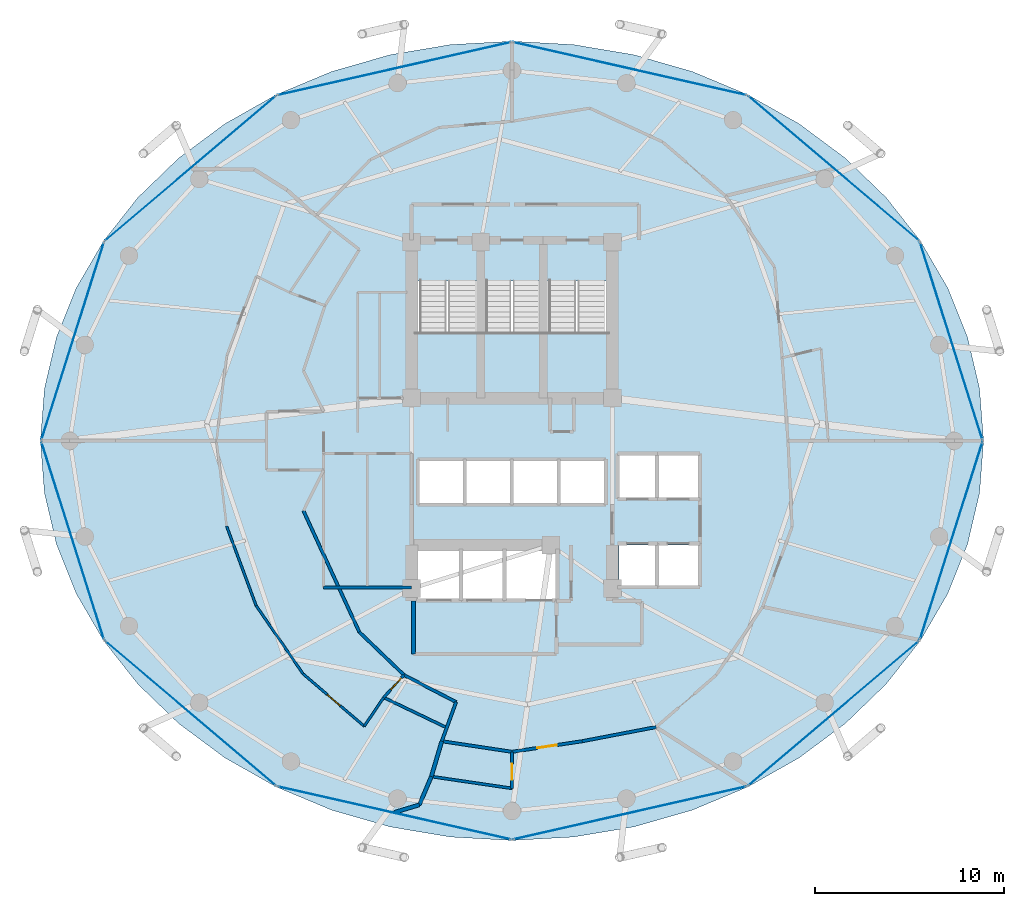
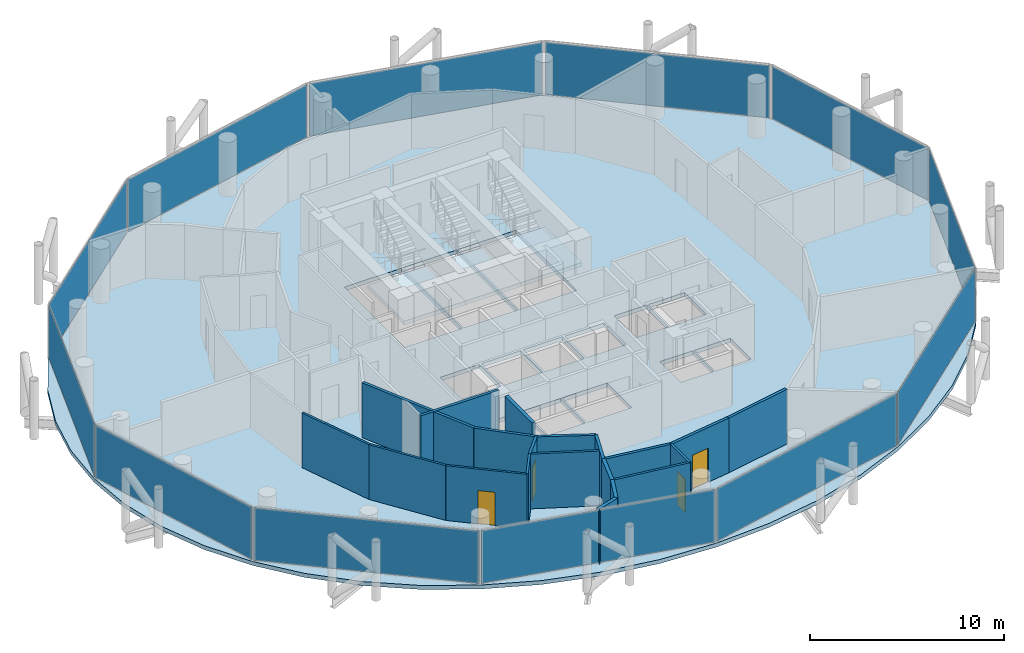
# One storey, part 21 of 26: 20 walls, 12 plates, 4 doors, 4 slabs, 4 openings, 15 elements without a shape of their own.
"""IFC4 building model written with IfcOpenShell, lengths in metres."""

from ifc_helpers import new_model, si_unit, direction, frame, frame_2d, origin, origin_2d, place, context, subcontext, project, spatial, polyline, rectangle, outline, extrude, material, layer, layer_set, type_object, element, fill, aggregate, save


model = new_model("IFC4")

# Units and contexts
model_context = context("Model", 3, precision=1e-05, world=origin(), true_north=direction((0.0, 1.0)))
body_context = subcontext(model_context, "Body", "Model", "MODEL_VIEW")
ifc_project = project(units=[si_unit("LENGTHUNIT", "METRE"), si_unit("AREAUNIT", "SQUARE_METRE"), si_unit("VOLUMEUNIT", "CUBIC_METRE"), si_unit("PLANEANGLEUNIT", "RADIAN"), si_unit("MASSUNIT", "GRAM", prefix="KILO")], contexts=[model_context])

# Site, building, storey
site_placement = place(None, origin())
site = spatial("IfcSite", under=ifc_project, at=site_placement, CompositionType="ELEMENT")
building_placement = place(site_placement, origin())
building = spatial("IfcBuilding", under=site, at=building_placement, Name="Nuhasar Tower", CompositionType="ELEMENT")
storey_placement = place(building_placement, frame((0.0, 0.0, 173.75)))
storey = spatial("IfcBuildingStorey", under=building, at=storey_placement, Name="L42", CompositionType="ELEMENT", Elevation=173.75)

# Curtain wall, plate
ifc_material_1 = material(Name="Aluminium 6063-T6", Category="aluminium")
ifc_layer_1 = layer(ifc_material_1, 0.199951171875)
ifc_layer_set_1 = layer_set([ifc_layer_1], Name="Aluminium 6063-T6")
curtain_wall_type = type_object("IfcCurtainWallType", Name="CW-Z2-HTL", PredefinedType="NOTDEFINED", material=ifc_layer_set_1)
curtain_wall_1_placement = place(storey_placement, origin())
curtain_wall_1 = element("IfcCurtainWall", 1, at=curtain_wall_1_placement, inside=storey, type_object=curtain_wall_type, Name="L42 Unitised Curtain Wall 01", PredefinedType="NOTDEFINED")
ifc_material_2 = material(Name="Glass Double Low-E", Category="glass")
ifc_layer_2 = layer(ifc_material_2, 0.028076171875)
ifc_layer_set_2 = layer_set([ifc_layer_2], Name="Glass Double Low-E")
plate_type = type_object("IfcPlateType", Name="CW-PANEL-GLZ", PredefinedType="CURTAIN_PANEL", material=ifc_layer_set_2)
plate_1_placement = place(storey_placement, frame((62.194580078125, 32.06494140625, 0.070068359375), z_axis=(0.0, 0.0, 1.0), x_axis=(-0.301603667577, 0.953433389233, 0.0)))
plate_1 = element("IfcPlate", 2, at=plate_1_placement, type_object=plate_type, Name="CW-Z2 panel 1.1", PredefinedType="CURTAIN_PANEL", context=body_context, shape_type="SweptSolid", body=[
    extrude(rectangle(XDim=10.904296875, YDim=0.028076171875, at=origin_2d()), origin(), (0.0, 0.0, 1.0), 3.31005859375),
])
aggregate(curtain_wall_1, [plate_1])

curtain_wall_2_placement = place(storey_placement, origin())
curtain_wall_2 = element("IfcCurtainWall", 3, at=curtain_wall_2_placement, inside=storey, type_object=curtain_wall_type, Name="L42 Unitised Curtain Wall 02", PredefinedType="NOTDEFINED")
plate_2_placement = place(storey_placement, frame((55.9794921875, 41.18408203125, 0.070068359375), z_axis=(0.0, 0.0, 1.0), x_axis=(-0.763020370292, 0.646374438324, 0.0)))
plate_2 = element("IfcPlate", 4, at=plate_2_placement, type_object=plate_type, Name="CW-Z2 panel 1.1", PredefinedType="CURTAIN_PANEL", context=body_context, shape_type="SweptSolid", body=[
    extrude(rectangle(XDim=11.784912109375, YDim=0.028076171875, at=origin_2d()), origin(), (0.0, 0.0, 1.0), 3.31005859375),
])
aggregate(curtain_wall_2, [plate_2])

curtain_wall_3_placement = place(storey_placement, origin())
curtain_wall_3 = element("IfcCurtainWall", 5, at=curtain_wall_3_placement, inside=storey, type_object=curtain_wall_type, Name="L42 Unitised Curtain Wall 03", PredefinedType="NOTDEFINED")
plate_3_placement = place(storey_placement, frame((45.215087890625, 46.448974609375, 0.070068359375), z_axis=(0.0, 0.0, 1.0), x_axis=(-0.975183694221, 0.22139729566, 0.0)))
plate_3 = element("IfcPlate", 6, at=plate_3_placement, type_object=plate_type, Name="CW-Z2 panel 1.1", PredefinedType="CURTAIN_PANEL", context=body_context, shape_type="SweptSolid", body=[
    extrude(rectangle(XDim=12.606201171875, YDim=0.028076171875, at=origin_2d()), origin(), (0.0, 0.0, 1.0), 3.31005859375),
])
aggregate(curtain_wall_3, [plate_3])

curtain_wall_4_placement = place(storey_placement, origin())
curtain_wall_4 = element("IfcCurtainWall", 7, at=curtain_wall_4_placement, inside=storey, type_object=curtain_wall_type, Name="L42 Unitised Curtain Wall 04", PredefinedType="NOTDEFINED")
plate_4_placement = place(storey_placement, frame((32.784912109375, 46.448974609375, 0.070068359375), z_axis=(0.0, 0.0, 1.0), x_axis=(-0.975183694221, -0.22139729566, 0.0)))
plate_4 = element("IfcPlate", 8, at=plate_4_placement, type_object=plate_type, Name="CW-Z2 panel 1.1", PredefinedType="CURTAIN_PANEL", context=body_context, shape_type="SweptSolid", body=[
    extrude(rectangle(XDim=12.606201171875, YDim=0.028076171875, at=origin_2d()), origin(), (0.0, 0.0, 1.0), 3.31005859375),
])
aggregate(curtain_wall_4, [plate_4])

curtain_wall_5_placement = place(storey_placement, origin())
curtain_wall_5 = element("IfcCurtainWall", 9, at=curtain_wall_5_placement, inside=storey, type_object=curtain_wall_type, Name="L42 Unitised Curtain Wall 05", PredefinedType="NOTDEFINED")
plate_5_placement = place(storey_placement, frame((22.0205078125, 41.18408203125, 0.070068359375), z_axis=(0.0, 0.0, 1.0), x_axis=(-0.763020370292, -0.646374438324, 0.0)))
plate_5 = element("IfcPlate", 10, at=plate_5_placement, type_object=plate_type, Name="CW-Z2 panel 1.1", PredefinedType="CURTAIN_PANEL", context=body_context, shape_type="SweptSolid", body=[
    extrude(rectangle(XDim=11.784912109375, YDim=0.028076171875, at=origin_2d()), origin(), (0.0, 0.0, 1.0), 3.31005859375),
])
aggregate(curtain_wall_5, [plate_5])

curtain_wall_6_placement = place(storey_placement, origin())
curtain_wall_6 = element("IfcCurtainWall", 11, at=curtain_wall_6_placement, inside=storey, type_object=curtain_wall_type, Name="L42 Unitised Curtain Wall 06", PredefinedType="NOTDEFINED")
plate_6_placement = place(storey_placement, frame((15.805419921875, 32.06494140625, 0.070068359375), z_axis=(0.0, 0.0, 1.0), x_axis=(-0.301603667577, -0.953433389233, 0.0)))
plate_6 = element("IfcPlate", 12, at=plate_6_placement, type_object=plate_type, Name="CW-Z2 panel 1.1", PredefinedType="CURTAIN_PANEL", context=body_context, shape_type="SweptSolid", body=[
    extrude(rectangle(XDim=10.904296875, YDim=0.028076171875, at=origin_2d()), origin(), (0.0, 0.0, 1.0), 3.31005859375),
])
aggregate(curtain_wall_6, [plate_6])

curtain_wall_7_placement = place(storey_placement, origin())
curtain_wall_7 = element("IfcCurtainWall", 13, at=curtain_wall_7_placement, inside=storey, type_object=curtain_wall_type, Name="L42 Unitised Curtain Wall 07", PredefinedType="NOTDEFINED")
plate_7_placement = place(storey_placement, frame((15.805419921875, 21.534912109375, 0.070068359375), z_axis=(0.0, 0.0, 1.0), x_axis=(0.301603667577, -0.953433389233, 0.0)))
plate_7 = element("IfcPlate", 14, at=plate_7_placement, type_object=plate_type, Name="CW-Z2 panel 1.1", PredefinedType="CURTAIN_PANEL", context=body_context, shape_type="SweptSolid", body=[
    extrude(rectangle(XDim=10.904296875, YDim=0.028076171875, at=origin_2d()), origin(), (0.0, 0.0, 1.0), 3.31005859375),
])
aggregate(curtain_wall_7, [plate_7])

curtain_wall_8_placement = place(storey_placement, origin())
curtain_wall_8 = element("IfcCurtainWall", 15, at=curtain_wall_8_placement, inside=storey, type_object=curtain_wall_type, Name="L42 Unitised Curtain Wall 08", PredefinedType="NOTDEFINED")
plate_8_placement = place(storey_placement, frame((22.0205078125, 12.416015625, 0.070068359375), z_axis=(0.0, 0.0, 1.0), x_axis=(0.763020370292, -0.646374438324, 0.0)))
plate_8 = element("IfcPlate", 16, at=plate_8_placement, type_object=plate_type, Name="CW-Z2 panel 1.1", PredefinedType="CURTAIN_PANEL", context=body_context, shape_type="SweptSolid", body=[
    extrude(rectangle(XDim=11.784912109375, YDim=0.028076171875, at=origin_2d()), origin(), (0.0, 0.0, 1.0), 3.31005859375),
])
aggregate(curtain_wall_8, [plate_8])

curtain_wall_9_placement = place(storey_placement, origin())
curtain_wall_9 = element("IfcCurtainWall", 17, at=curtain_wall_9_placement, inside=storey, type_object=curtain_wall_type, Name="L42 Unitised Curtain Wall 09", PredefinedType="NOTDEFINED")
plate_9_placement = place(storey_placement, frame((32.784912109375, 7.15087890625, 0.070068359375), z_axis=(0.0, 0.0, 1.0), x_axis=(0.975183694221, -0.22139729566, 0.0)))
plate_9 = element("IfcPlate", 18, at=plate_9_placement, type_object=plate_type, Name="CW-Z2 panel 1.1", PredefinedType="CURTAIN_PANEL", context=body_context, shape_type="SweptSolid", body=[
    extrude(rectangle(XDim=12.606201171875, YDim=0.028076171875, at=origin_2d()), origin(), (0.0, 0.0, 1.0), 3.31005859375),
])
aggregate(curtain_wall_9, [plate_9])

curtain_wall_10_placement = place(storey_placement, origin())
curtain_wall_10 = element("IfcCurtainWall", 19, at=curtain_wall_10_placement, inside=storey, type_object=curtain_wall_type, Name="L42 Unitised Curtain Wall 10", PredefinedType="NOTDEFINED")
plate_10_placement = place(storey_placement, frame((45.215087890625, 7.15087890625, 0.070068359375), z_axis=(0.0, 0.0, 1.0), x_axis=(0.975183694221, 0.22139729566, 0.0)))
plate_10 = element("IfcPlate", 20, at=plate_10_placement, type_object=plate_type, Name="CW-Z2 panel 1.1", PredefinedType="CURTAIN_PANEL", context=body_context, shape_type="SweptSolid", body=[
    extrude(rectangle(XDim=12.606201171875, YDim=0.028076171875, at=origin_2d()), origin(), (0.0, 0.0, 1.0), 3.31005859375),
])
aggregate(curtain_wall_10, [plate_10])

curtain_wall_11_placement = place(storey_placement, origin())
curtain_wall_11 = element("IfcCurtainWall", 21, at=curtain_wall_11_placement, inside=storey, type_object=curtain_wall_type, Name="L42 Unitised Curtain Wall 11", PredefinedType="NOTDEFINED")
plate_11_placement = place(storey_placement, frame((55.9794921875, 12.416015625, 0.070068359375), z_axis=(0.0, 0.0, 1.0), x_axis=(0.763020370292, 0.646374438324, 0.0)))
plate_11 = element("IfcPlate", 22, at=plate_11_placement, type_object=plate_type, Name="CW-Z2 panel 1.1", PredefinedType="CURTAIN_PANEL", context=body_context, shape_type="SweptSolid", body=[
    extrude(rectangle(XDim=11.784912109375, YDim=0.028076171875, at=origin_2d()), origin(), (0.0, 0.0, 1.0), 3.31005859375),
])
aggregate(curtain_wall_11, [plate_11])

curtain_wall_12_placement = place(storey_placement, origin())
curtain_wall_12 = element("IfcCurtainWall", 23, at=curtain_wall_12_placement, inside=storey, type_object=curtain_wall_type, Name="L42 Unitised Curtain Wall 12", PredefinedType="NOTDEFINED")
plate_12_placement = place(storey_placement, frame((62.194580078125, 21.534912109375, 0.070068359375), z_axis=(0.0, 0.0, 1.0), x_axis=(0.301603667577, 0.953433389233, 0.0)))
plate_12 = element("IfcPlate", 24, at=plate_12_placement, type_object=plate_type, Name="CW-Z2 panel 1.1", PredefinedType="CURTAIN_PANEL", context=body_context, shape_type="SweptSolid", body=[
    extrude(rectangle(XDim=10.904296875, YDim=0.028076171875, at=origin_2d()), origin(), (0.0, 0.0, 1.0), 3.31005859375),
])
aggregate(curtain_wall_12, [plate_12])

# Stair, slab
ifc_material_3 = material(Name="Concrete C45/55", Category="concrete")
stair_type_1 = type_object("IfcStairType", Name="STR-ST-01-2F-22R-1682", PredefinedType="HALF_TURN_STAIR", material=ifc_material_3)
stair_1_placement = place(storey_placement, origin())
stair_1 = element("IfcStair", 25, at=stair_1_placement, inside=storey, type_object=stair_type_1, Name="L42 Exit Stair ST-01", PredefinedType="HALF_TURN_STAIR")
ifc_layer_3 = layer(ifc_material_3, 0.239990234375)
ifc_layer_set_3 = layer_set([ifc_layer_3], Name="Concrete C45/55")
slab_type_1 = type_object("IfcSlabType", Name="SLB-STAIR-LND-240", PredefinedType="LANDING", material=ifc_layer_set_3)
slab_1_placement = place(storey_placement, frame((0.0, 0.0, 1.610107421875)))
slab_1 = element("IfcSlab", 26, at=slab_1_placement, type_object=slab_type_1, Name="ST-01 landing 1", PredefinedType="LANDING", context=body_context, shape_type="SweptSolid", body=[
    extrude(outline(polyline([(33.699951171875, 28.75), (37.35009765625, 28.75), (37.35009765625, 32.52001953125), (33.699951171875, 32.52001953125), (33.699951171875, 28.75)])), origin(), (0.0, 0.0, 1.0), 0.239990234375),
])
aggregate(stair_1, [slab_1])

stair_type_2 = type_object("IfcStairType", Name="STR-ST-03-2F-22R-1682", PredefinedType="HALF_TURN_STAIR", material=ifc_material_3)
stair_2_placement = place(storey_placement, origin())
stair_2 = element("IfcStair", 27, at=stair_2_placement, inside=storey, type_object=stair_type_2, Name="L42 Exit Stair ST-03", PredefinedType="HALF_TURN_STAIR")
slab_2_placement = place(storey_placement, frame((0.0, 0.0, 1.610107421875)))
slab_2 = element("IfcSlab", 28, at=slab_2_placement, type_object=slab_type_1, Name="ST-03 landing 1", PredefinedType="LANDING", context=body_context, shape_type="SweptSolid", body=[
    extrude(outline(polyline([(37.35009765625, 28.75), (40.64990234375, 28.75), (40.64990234375, 32.52001953125), (37.35009765625, 32.52001953125), (37.35009765625, 28.75)])), origin(), (0.0, 0.0, 1.0), 0.239990234375),
])
aggregate(stair_2, [slab_2])

stair_type_3 = type_object("IfcStairType", Name="STR-ST-02-2F-22R-1682", PredefinedType="HALF_TURN_STAIR", material=ifc_material_3)
stair_3_placement = place(storey_placement, origin())
stair_3 = element("IfcStair", 29, at=stair_3_placement, inside=storey, type_object=stair_type_3, Name="L42 Exit Stair ST-02", PredefinedType="HALF_TURN_STAIR")
slab_3_placement = place(storey_placement, frame((0.0, 0.0, 1.610107421875)))
slab_3 = element("IfcSlab", 30, at=slab_3_placement, type_object=slab_type_1, Name="ST-02 landing 1", PredefinedType="LANDING", context=body_context, shape_type="SweptSolid", body=[
    extrude(outline(polyline([(40.64990234375, 28.75), (44.300048828125, 28.75), (44.300048828125, 32.52001953125), (40.64990234375, 32.52001953125), (40.64990234375, 28.75)])), origin(), (0.0, 0.0, 1.0), 0.239990234375),
])
aggregate(stair_3, [slab_3])

# Slab
ifc_layer_4 = layer(ifc_material_3, 0.25)
ifc_layer_set_4 = layer_set([ifc_layer_4], Name="Concrete C45/55")
slab_type_2 = type_object("IfcSlabType", Name="SLB-Z1B-250", PredefinedType="FLOOR", material=ifc_layer_set_4)
slab_4_placement = place(storey_placement, frame((0.0, 0.0, -0.25)))
element("IfcSlab", 31, at=slab_4_placement, inside=storey, type_object=slab_type_2, Name="L42 Structural Slab", PredefinedType="FLOOR", context=body_context, shape_type="SweptSolid", body=[
    extrude(outline(polyline([(63.89990234375, 26.800048828125), (63.68701171875, 29.553955078125), (63.052001953125, 32.260986328125), (62.0048828125, 34.875), (60.56396484375, 37.35009765625), (58.75390625, 39.64501953125), (56.60693359375, 41.719970703125), (54.157958984375, 43.5400390625), (51.449951171875, 45.072998046875), (48.529052734375, 46.2939453125), (45.445068359375, 47.180908203125), (42.25, 47.718994140625), (39.0, 47.89990234375), (35.75, 47.718994140625), (32.554931640625, 47.180908203125), (29.470947265625, 46.2939453125), (26.550048828125, 45.072998046875), (23.842041015625, 43.5400390625), (21.39306640625, 41.719970703125), (19.24609375, 39.64501953125), (17.43603515625, 37.35009765625), (15.9951171875, 34.875), (14.947998046875, 32.260986328125), (14.31298828125, 29.553955078125), (14.10009765625, 26.800048828125), (14.31298828125, 24.0458984375), (14.947998046875, 21.339111328125), (15.9951171875, 18.72509765625), (17.43603515625, 16.25), (19.24609375, 13.955078125), (21.39306640625, 11.8798828125), (23.842041015625, 10.06005859375), (26.550048828125, 8.527099609375), (29.470947265625, 7.305908203125), (32.554931640625, 6.4189453125), (35.75, 5.881103515625), (39.0, 5.699951171875), (42.25, 5.881103515625), (45.445068359375, 6.4189453125), (48.529052734375, 7.305908203125), (51.449951171875, 8.527099609375), (54.157958984375, 10.06005859375), (56.60693359375, 11.8798828125), (58.75390625, 13.955078125), (60.56396484375, 16.25), (62.0048828125, 18.72509765625), (63.052001953125, 21.339111328125), (63.68701171875, 24.0458984375), (63.89990234375, 26.800048828125)]), holes=[polyline([(33.8798828125, 35.25), (37.300048828125, 35.25), (37.300048828125, 29.0), (33.8798828125, 29.0), (33.8798828125, 35.25)]), polyline([(37.39990234375, 35.25), (40.60009765625, 35.25), (40.60009765625, 29.0), (37.39990234375, 29.0), (37.39990234375, 35.25)]), polyline([(40.699951171875, 35.25), (44.1201171875, 35.25), (44.1201171875, 29.0), (40.699951171875, 29.0), (40.699951171875, 35.25)]), polyline([(44.64990234375, 26.050048828125), (46.60009765625, 26.050048828125), (46.60009765625, 23.800048828125), (44.64990234375, 23.800048828125), (44.64990234375, 26.050048828125)]), polyline([(46.699951171875, 26.050048828125), (48.85009765625, 26.050048828125), (48.85009765625, 23.800048828125), (46.699951171875, 23.800048828125), (46.699951171875, 26.050048828125)]), polyline([(44.64990234375, 21.300048828125), (46.60009765625, 21.300048828125), (46.60009765625, 19.14990234375), (44.64990234375, 19.14990234375), (44.64990234375, 21.300048828125)]), polyline([(46.699951171875, 21.300048828125), (48.85009765625, 21.300048828125), (48.85009765625, 19.14990234375), (46.699951171875, 19.14990234375), (46.699951171875, 21.300048828125)]), polyline([(34.10009765625, 25.75), (36.43994140625, 25.75), (36.43994140625, 23.5), (34.10009765625, 23.5), (34.10009765625, 25.75)]), polyline([(36.580078125, 25.75), (38.919921875, 25.75), (38.919921875, 23.5), (36.580078125, 23.5), (36.580078125, 25.75)]), polyline([(39.06005859375, 25.75), (41.39990234375, 25.75), (41.39990234375, 23.5), (39.06005859375, 23.5), (39.06005859375, 25.75)]), polyline([(41.5400390625, 25.75), (43.8798828125, 25.75), (43.8798828125, 23.5), (41.5400390625, 23.5), (41.5400390625, 25.75)]), polyline([(34.050048828125, 21.0), (36.25, 21.0), (36.25, 18.449951171875), (34.050048828125, 18.449951171875), (34.050048828125, 21.0)]), polyline([(36.35009765625, 21.0), (38.550048828125, 21.0), (38.550048828125, 18.449951171875), (36.35009765625, 18.449951171875), (36.35009765625, 21.0)]), polyline([(38.64990234375, 21.0), (41.320068359375, 21.0), (41.320068359375, 18.449951171875), (38.64990234375, 18.449951171875), (38.64990234375, 21.0)])]), origin(), (0.0, 0.0, 1.0), 0.25),
])

# Walls
ifc_material_4 = material(Name="Gypsum Board", Category="gypsum")
ifc_layer_5 = layer(ifc_material_4, 0.159912109375)
ifc_layer_set_5 = layer_set([ifc_layer_5], Name="Gypsum Board")
wall_type_1 = type_object("IfcWallType", Name="WL-CORR-160", PredefinedType="PARTITIONING", material=ifc_layer_set_5)
wall_1_placement = place(storey_placement, frame((29.050048828125, 19.050048828125, 0.0), z_axis=(0.0, 0.0, 1.0), x_axis=(1.0, 0.0, 0.0)))
element("IfcWall", 32, at=wall_1_placement, inside=storey, type_object=wall_type_1, Name="L42 Interior Partition RECL-B1-S", PredefinedType="PARTITIONING", context=body_context, shape_type="SweptSolid", body=[
    extrude(rectangle(XDim=4.64990234375, YDim=0.159912109375, at=frame_2d((2.324951171875, 0.0))), origin(), (0.0, 0.0, 1.0), 3.449951171875),
])
wall_2_placement = place(storey_placement, frame((35.2939453125, 10.93896484375, 0.0), z_axis=(0.0, 0.0, 1.0), x_axis=(0.988811779908, -0.149168575493, 0.0)))
element("IfcWall", 33, at=wall_2_placement, inside=storey, type_object=wall_type_1, Name="L42 Interior Partition CORR-34", PredefinedType="PARTITIONING", context=body_context, shape_type="SweptSolid", body=[
    extrude(rectangle(XDim=3.748046875, YDim=0.159912109375, at=frame_2d((1.8740234375, 0.0))), origin(), (0.0, 0.0, 1.0), 3.449951171875),
])

# Wall, opening, door
wall_3_placement = place(storey_placement, frame((42.7060546875, 10.93896484375, 0.0), z_axis=(0.0, 0.0, 1.0), x_axis=(-0.988811779908, -0.149168575493, 0.0)))
wall_3 = element("IfcWall", 34, at=wall_3_placement, inside=storey, type_object=wall_type_1, Name="L42 Interior Partition CORR-36", PredefinedType="PARTITIONING", context=body_context, shape_type="SweptSolid", body=[
    extrude(rectangle(XDim=3.748046875, YDim=0.159912109375, at=frame_2d((1.8740234375, 0.0))), origin(), (0.0, 0.0, 1.0), 3.449951171875),
])
opening_1_placement = place(wall_3_placement, frame((1.34912109375, 0.0, 0.0)))
opening_1 = element("IfcOpeningElement", 35, at=opening_1_placement, cuts=wall_3, Name="Opening DU-01", PredefinedType="OPENING", context=body_context, shape_type="SweptSolid", body=[
    extrude(rectangle(XDim=1.050048828125, YDim=2.14990234375, at=frame_2d((0.52490234375, 1.074951171875))), frame((0.0, 0.08984375, 0.0), z_axis=(0.0, -1.0, 0.0), x_axis=(1.0, 0.0, 0.0)), (0.0, 0.0, 1.0), 0.179931640625),
])
ifc_material_5 = material(Name="Timber Oak", Category="wood")
door_type_1 = type_object("IfcDoorType", Name="DR-SUITE-FD60-1050", OperationType="NOTDEFINED", PredefinedType="DOOR", material=ifc_material_5)
door_1_placement = place(opening_1_placement, origin())
door_1 = element("IfcDoor", 36, at=door_1_placement, inside=storey, type_object=door_type_1, Name="L42 Family Suite 01 Entrance Door", OperationType="SINGLE_SWING_RIGHT", OverallHeight=2.14990234375, OverallWidth=1.050048828125, PredefinedType="DOOR", context=body_context, shape_type="SweptSolid", body=[
    extrude(rectangle(XDim=1.050048828125, YDim=2.14990234375, at=frame_2d((0.52490234375, 1.074951171875))), frame((0.0, 0.02490234375, 0.0), z_axis=(0.0, -1.0, 0.0), x_axis=(1.0, 0.0, 0.0)), (0.0, 0.0, 1.0), 0.050048828125),
])
fill(opening_1, door_1)

# Walls
wall_4_placement = place(storey_placement, frame((42.7060546875, 10.93896484375, 0.0), z_axis=(0.0, 0.0, 1.0), x_axis=(0.982133702628, 0.188184457811, 0.0)))
element("IfcWall", 37, at=wall_4_placement, inside=storey, type_object=wall_type_1, Name="L42 Interior Partition CORR-38", PredefinedType="PARTITIONING", context=body_context, shape_type="SweptSolid", body=[
    extrude(rectangle(XDim=3.97509765625, YDim=0.159912109375, at=frame_2d((1.987548828125, 0.0))), origin(), (0.0, 0.0, 1.0), 3.449951171875),
])
wall_5_placement = place(storey_placement, frame((36.049072265625, 13.007080078125, 0.0), z_axis=(0.0, 0.0, 1.0), x_axis=(-0.342980355209, -0.939342576455, 0.0)))
element("IfcWall", 38, at=wall_5_placement, inside=storey, type_object=wall_type_1, Name="L42 Interior Partition HRAD-34-IN", PredefinedType="PARTITIONING", context=body_context, shape_type="SweptSolid", body=[
    extrude(rectangle(XDim=2.20166015625, YDim=0.159912109375, at=frame_2d((1.100830078125, 0.0))), origin(), (0.0, 0.0, 1.0), 3.449951171875),
])
wall_6_placement = place(storey_placement, frame((27.988037109375, 23.10400390625, 0.0), z_axis=(0.0, 0.0, 1.0), x_axis=(0.418656179426, -0.908144814128, 0.0)))
element("IfcWall", 39, at=wall_6_placement, inside=storey, type_object=wall_type_1, Name="L42 Interior Partition HWEST-CORE-S1-26", PredefinedType="PARTITIONING", context=body_context, shape_type="SweptSolid", body=[
    extrude(rectangle(XDim=7.048583984375, YDim=0.159912109375, at=frame_2d((3.5244140625, 0.0))), origin(), (0.0, 0.0, 1.0), 3.449951171875),
])
wall_7_placement = place(storey_placement, frame((30.93896484375, 16.702880859375, 0.0), z_axis=(0.0, 0.0, 1.0), x_axis=(0.72090897908, -0.693029756851, 0.0)))
element("IfcWall", 40, at=wall_7_placement, inside=storey, type_object=wall_type_1, Name="L42 Interior Partition HWEST-CORE-S2-30", PredefinedType="PARTITIONING", context=body_context, shape_type="SweptSolid", body=[
    extrude(rectangle(XDim=3.275146484375, YDim=0.159912109375, at=frame_2d((1.6376953125, 0.0))), origin(), (0.0, 0.0, 1.0), 3.449951171875),
])
wall_8_placement = place(storey_placement, frame((33.300048828125, 14.43310546875, 0.0), z_axis=(0.0, 0.0, 1.0), x_axis=(0.887674575788, -0.460471331898, 0.0)))
element("IfcWall", 41, at=wall_8_placement, inside=storey, type_object=wall_type_1, Name="L42 Interior Partition HWEST-CORE-S2-32", PredefinedType="PARTITIONING", context=body_context, shape_type="SweptSolid", body=[
    extrude(rectangle(XDim=3.096923828125, YDim=0.159912109375, at=frame_2d((1.54833984375, 0.0))), origin(), (0.0, 0.0, 1.0), 3.449951171875),
])
ifc_layer_6 = layer(ifc_material_3, 0.199951171875)
ifc_layer_set_6 = layer_set([ifc_layer_6], Name="Concrete C45/55")
wall_type_2 = type_object("IfcWallType", Name="WL-LOBBY-200", PredefinedType="SOLIDWALL", material=ifc_layer_set_6)
wall_9_placement = place(storey_placement, frame((33.800048828125, 15.550048828125, 0.0), z_axis=(0.0, 0.0, 1.0), x_axis=(0.0, 1.0, 0.0)))
element("IfcWall", 42, at=wall_9_placement, inside=storey, type_object=wall_type_2, Name="L42 Interior Partition FFL-W", PredefinedType="SOLIDWALL", context=body_context, shape_type="SweptSolid", body=[
    extrude(rectangle(XDim=2.800048828125, YDim=0.199951171875, at=frame_2d((1.39990234375, 0.0))), origin(), (0.0, 0.0, 1.0), 3.449951171875),
])
ifc_layer_7 = layer(ifc_material_4, 0.125)
ifc_layer_set_7 = layer_set([ifc_layer_7], Name="Gypsum Board")
wall_type_3 = type_object("IfcWallType", Name="WL-PART-125", PredefinedType="PARTITIONING", material=ifc_layer_set_7)
wall_10_placement = place(storey_placement, frame((32.22509765625, 13.2470703125, 0.0), z_axis=(0.0, 0.0, 1.0), x_axis=(-0.560137086464, -0.828399930207, 0.0)))
element("IfcWall", 43, at=wall_10_placement, inside=storey, type_object=wall_type_3, Name="L42 Interior Partition HWS2-N", PredefinedType="PARTITIONING", context=body_context, shape_type="SweptSolid", body=[
    extrude(rectangle(XDim=1.830078125, YDim=0.125, at=frame_2d((0.9150390625, 0.0))), origin(), (0.0, 0.0, 1.0), 3.449951171875),
])
wall_11_placement = place(storey_placement, frame((23.931884765625, 22.297119140625, 0.0), z_axis=(0.0, 0.0, 1.0), x_axis=(0.348031805078, -0.93748272659, 0.0)))
element("IfcWall", 44, at=wall_11_placement, inside=storey, type_object=wall_type_3, Name="L42 Interior Partition HWS2-ARC-26", PredefinedType="PARTITIONING", context=body_context, shape_type="SweptSolid", body=[
    extrude(rectangle(XDim=4.476806640625, YDim=0.125, at=frame_2d((2.23828125, 0.0))), origin(), (0.0, 0.0, 1.0), 3.449951171875),
])
wall_12_placement = place(storey_placement, frame((25.489990234375, 18.10009765625, 0.0), z_axis=(0.0, 0.0, 1.0), x_axis=(0.566723041571, -0.823908365143, 0.0)))
element("IfcWall", 45, at=wall_12_placement, inside=storey, type_object=wall_type_3, Name="L42 Interior Partition HWS2-ARC-28", PredefinedType="PARTITIONING", context=body_context, shape_type="SweptSolid", body=[
    extrude(rectangle(XDim=4.374267578125, YDim=0.125, at=frame_2d((2.18701171875, 0.0))), origin(), (0.0, 0.0, 1.0), 3.449951171875),
])

# Wall, opening, door
wall_13_placement = place(storey_placement, frame((27.968994140625, 14.49609375, 0.0), z_axis=(0.0, 0.0, 1.0), x_axis=(0.759750776123, -0.650214394013, 0.0)))
wall_13 = element("IfcWall", 46, at=wall_13_placement, inside=storey, type_object=wall_type_3, Name="L42 Interior Partition HWS2-ARC-30", PredefinedType="PARTITIONING", context=body_context, shape_type="SweptSolid", body=[
    extrude(rectangle(XDim=4.252685546875, YDim=0.125, at=frame_2d((2.12646484375, 0.0))), origin(), (0.0, 0.0, 1.0), 3.449951171875),
])
opening_2_placement = place(wall_13_placement, frame((1.676025390625, 0.0, 0.0)))
opening_2 = element("IfcOpeningElement", 47, at=opening_2_placement, cuts=wall_13, Name="Opening DR-01", PredefinedType="OPENING", context=body_context, shape_type="SweptSolid", body=[
    extrude(rectangle(XDim=0.89990234375, YDim=2.10009765625, at=frame_2d((0.449951171875, 1.050048828125))), frame((0.0, 0.072509765625, 0.0), z_axis=(0.0, -1.0, 0.0), x_axis=(1.0, 0.0, 0.0)), (0.0, 0.0, 1.0), 0.14501953125),
])
door_type_2 = type_object("IfcDoorType", Name="DR-ROOM-900", OperationType="NOTDEFINED", PredefinedType="DOOR", material=ifc_material_5)
door_2_placement = place(opening_2_placement, origin())
door_2 = element("IfcDoor", 48, at=door_2_placement, inside=storey, type_object=door_type_2, Name="L42 South-West Presidential Suite Bedroom Door", OperationType="SINGLE_SWING_LEFT", OverallHeight=2.10009765625, OverallWidth=0.89990234375, PredefinedType="DOOR", context=body_context, shape_type="SweptSolid", body=[
    extrude(rectangle(XDim=0.89990234375, YDim=2.10009765625, at=frame_2d((0.449951171875, 1.050048828125))), frame((0.0, 0.02490234375, 0.0), z_axis=(0.0, -1.0, 0.0), x_axis=(1.0, 0.0, 0.0)), (0.0, 0.0, 1.0), 0.050048828125),
])
fill(opening_2, door_2)

# Walls
ifc_material_6 = material(Name="Concrete C40/50 precast", Category="concrete")
ifc_layer_8 = layer(ifc_material_6, 0.199951171875)
ifc_layer_set_8 = layer_set([ifc_layer_8], Name="Concrete C40/50 precast")
wall_type_4 = type_object("IfcWallType", Name="WL-UNIT-200", PredefinedType="PARTITIONING", material=ifc_layer_set_8)
wall_14_placement = place(storey_placement, frame((35.2939453125, 10.93896484375, 0.0), z_axis=(0.0, 0.0, 1.0), x_axis=(-0.283947221883, -0.958839911135, 0.0)))
element("IfcWall", 49, at=wall_14_placement, inside=storey, type_object=wall_type_4, Name="L42 Interior Partition HRAD-34-OUT-S1", PredefinedType="PARTITIONING", context=body_context, shape_type="SweptSolid", body=[
    extrude(rectangle(XDim=1.944091796875, YDim=0.199951171875, at=frame_2d((0.97216796875, 0.0))), origin(), (0.0, 0.0, 1.0), 3.449951171875),
])
wall_15_placement = place(storey_placement, frame((34.741943359375, 9.074951171875, 0.0), z_axis=(0.0, 0.0, 1.0), x_axis=(-0.389982878965, -0.920822107746, 0.0)))
element("IfcWall", 50, at=wall_15_placement, inside=storey, type_object=wall_type_4, Name="L42 Interior Partition HRAD-34-OUT-S2", PredefinedType="PARTITIONING", context=body_context, shape_type="SweptSolid", body=[
    extrude(rectangle(XDim=1.625732421875, YDim=0.199951171875, at=frame_2d((0.81298828125, 0.0))), origin(), (0.0, 0.0, 1.0), 3.449951171875),
])
wall_16_placement = place(storey_placement, frame((34.10791015625, 7.577880859375, 0.0), z_axis=(0.0, 0.0, 1.0), x_axis=(-0.957904627435, -0.287086615394, 0.0)))
element("IfcWall", 51, at=wall_16_placement, inside=storey, type_object=wall_type_4, Name="L42 Interior Partition HRAD-34-OUT-S3", PredefinedType="PARTITIONING", context=body_context, shape_type="SweptSolid", body=[
    extrude(rectangle(XDim=1.371826171875, YDim=0.199951171875, at=frame_2d((0.68603515625, 0.0))), origin(), (0.0, 0.0, 1.0), 3.449951171875),
])

# Wall, opening, door
ifc_layer_9 = layer(ifc_material_6, 0.139892578125)
ifc_layer_set_9 = layer_set([ifc_layer_9], Name="Concrete C40/50 precast")
wall_type_5 = type_object("IfcWallType", Name="WL-WET-140", PredefinedType="PARTITIONING", material=ifc_layer_set_9)
wall_17_placement = place(storey_placement, frame((39.0, 10.3798828125, 0.0), z_axis=(0.0, 0.0, 1.0), x_axis=(0.0, -1.0, 0.0)))
wall_17 = element("IfcWall", 52, at=wall_17_placement, inside=storey, type_object=wall_type_5, Name="L42 Interior Partition HBW-01", PredefinedType="PARTITIONING", context=body_context, shape_type="SweptSolid", body=[
    extrude(rectangle(XDim=1.929931640625, YDim=0.139892578125, at=frame_2d((0.96484375, 0.0))), origin(), (0.0, 0.0, 1.0), 3.449951171875),
])
opening_3_placement = place(wall_17_placement, frame((0.636962890625, 0.0, 0.0)))
opening_3 = element("IfcOpeningElement", 53, at=opening_3_placement, cuts=wall_17, Name="Opening DB-01", PredefinedType="OPENING", context=body_context, shape_type="SweptSolid", body=[
    extrude(rectangle(XDim=0.85009765625, YDim=2.10009765625, at=frame_2d((0.425048828125, 1.050048828125))), frame((0.0, 0.080078125, 0.0), z_axis=(0.0, -1.0, 0.0), x_axis=(1.0, 0.0, 0.0)), (0.0, 0.0, 1.0), 0.159912109375),
])
door_type_3 = type_object("IfcDoorType", Name="DR-BATH-850", OperationType="NOTDEFINED", PredefinedType="DOOR", material=ifc_material_5)
door_3_placement = place(opening_3_placement, origin())
door_3 = element("IfcDoor", 54, at=door_3_placement, inside=storey, type_object=door_type_3, Name="L42 Family Suite 01 En-Suite Door", OperationType="SINGLE_SWING_RIGHT", OverallHeight=2.10009765625, OverallWidth=0.85009765625, PredefinedType="DOOR", context=body_context, shape_type="SweptSolid", body=[
    extrude(rectangle(XDim=0.85009765625, YDim=2.10009765625, at=frame_2d((0.425048828125, 1.050048828125))), frame((0.0, 0.02490234375, 0.0), z_axis=(0.0, -1.0, 0.0), x_axis=(1.0, 0.0, 0.0)), (0.0, 0.0, 1.0), 0.050048828125),
])
fill(opening_3, door_3)

# Wall
wall_18_placement = place(storey_placement, frame((34.741943359375, 9.074951171875, 0.0), z_axis=(0.0, 0.0, 1.0), x_axis=(0.989398726837, -0.145224513543, 0.0)))
element("IfcWall", 55, at=wall_18_placement, inside=storey, type_object=wall_type_5, Name="L42 Interior Partition HBF-01-34", PredefinedType="PARTITIONING", context=body_context, shape_type="SweptSolid", body=[
    extrude(rectangle(XDim=4.3037109375, YDim=0.139892578125, at=frame_2d((2.15185546875, 0.0))), origin(), (0.0, 0.0, 1.0), 3.449951171875),
])

# Wall, opening, door
wall_19_placement = place(storey_placement, frame((33.300048828125, 14.43310546875, 0.0), z_axis=(0.0, 0.0, 1.0), x_axis=(-0.671556062003, -0.740953747266, 0.0)))
wall_19 = element("IfcWall", 56, at=wall_19_placement, inside=storey, type_object=wall_type_5, Name="L42 Interior Partition HBW2-N", PredefinedType="PARTITIONING", context=body_context, shape_type="SweptSolid", body=[
    extrude(rectangle(XDim=1.6005859375, YDim=0.139892578125, at=frame_2d((0.80029296875, 0.0))), origin(), (0.0, 0.0, 1.0), 3.449951171875),
])
opening_4_placement = place(wall_19_placement, frame((0.199951171875, 0.0, 0.0)))
opening_4 = element("IfcOpeningElement", 57, at=opening_4_placement, cuts=wall_19, Name="Opening DB-01", PredefinedType="OPENING", context=body_context, shape_type="SweptSolid", body=[
    extrude(rectangle(XDim=0.85009765625, YDim=2.10009765625, at=frame_2d((0.425048828125, 1.050048828125))), frame((0.0, 0.080078125, 0.0), z_axis=(0.0, -1.0, 0.0), x_axis=(1.0, 0.0, 0.0)), (0.0, 0.0, 1.0), 0.159912109375),
])
door_4_placement = place(opening_4_placement, origin())
door_4 = element("IfcDoor", 58, at=door_4_placement, inside=storey, type_object=door_type_3, Name="L42 South-West Presidential Suite En-Suite Door", OperationType="SINGLE_SWING_LEFT", OverallHeight=2.10009765625, OverallWidth=0.85009765625, PredefinedType="DOOR", context=body_context, shape_type="SweptSolid", body=[
    extrude(rectangle(XDim=0.85009765625, YDim=2.10009765625, at=frame_2d((0.425048828125, 1.050048828125))), frame((0.0, 0.02490234375, 0.0), z_axis=(0.0, -1.0, 0.0), x_axis=(1.0, 0.0, 0.0)), (0.0, 0.0, 1.0), 0.050048828125),
])
fill(opening_4, door_4)

# Wall
wall_20_placement = place(storey_placement, frame((32.22509765625, 13.2470703125, 0.0), z_axis=(0.0, 0.0, 1.0), x_axis=(0.902016722043, -0.431701092372, 0.0)))
element("IfcWall", 59, at=wall_20_placement, inside=storey, type_object=wall_type_5, Name="L42 Interior Partition HBW2-E", PredefinedType="PARTITIONING", context=body_context, shape_type="SweptSolid", body=[
    extrude(rectangle(XDim=3.622802734375, YDim=0.139892578125, at=frame_2d((1.8115234375, 0.0))), origin(), (0.0, 0.0, 1.0), 3.449951171875),
])

save(model, "model.ifc")
